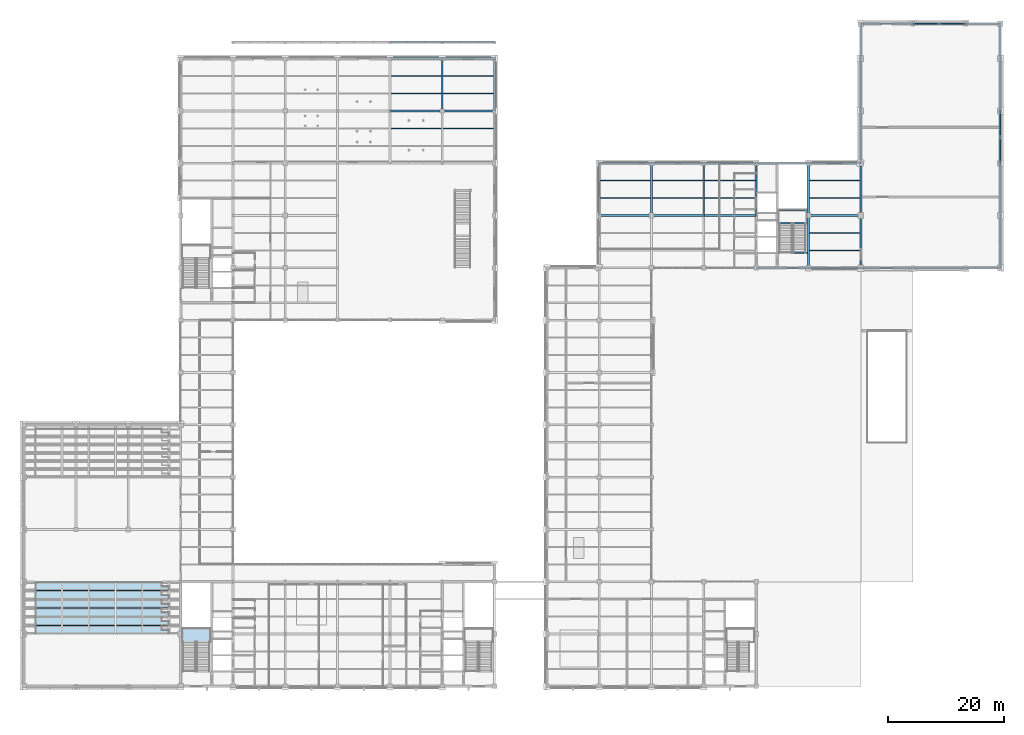
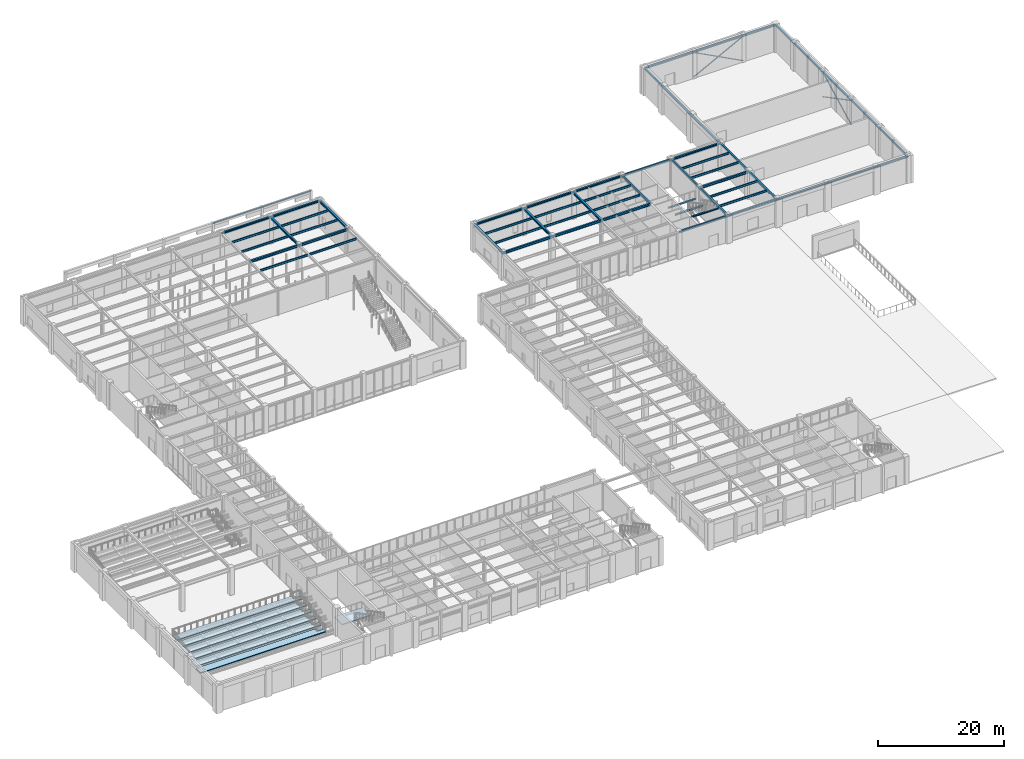
# One storey, part 51 of 77: 60 beams, 7 slabs, 6 members, 1 element without a shape of its own.
"""IFC4 building model written with IfcOpenShell, lengths in metres."""

from ifc_helpers import new_model, si_unit, direction, frame, origin, origin_2d, place, context, subcontext, project, spatial, polyline, hollow_circle, i_section, outline, extrude, material, layer, layer_set, material_profile, profile_set, type_object, element, aggregate, save


model = new_model("IFC4")

# Units and contexts
model_context = context("Model", 3, precision=1e-05, world=origin(), true_north=direction((0.0, 1.0)))
body_context = subcontext(model_context, "Body", "Model", "MODEL_VIEW")
ifc_project = project(units=[si_unit("LENGTHUNIT", "METRE"), si_unit("AREAUNIT", "SQUARE_METRE"), si_unit("VOLUMEUNIT", "CUBIC_METRE"), si_unit("PLANEANGLEUNIT", "RADIAN"), si_unit("MASSUNIT", "GRAM", prefix="KILO")], contexts=[model_context])

# Site, building, storey
site_placement = place(None, origin())
site = spatial("IfcSite", under=ifc_project, at=site_placement, CompositionType="ELEMENT")
building_placement = place(site_placement, origin())
building = spatial("IfcBuilding", under=site, at=building_placement, Name="Lykobir Media Centre", CompositionType="ELEMENT")
storey_placement = place(building_placement, origin())
storey = spatial("IfcBuildingStorey", under=building, at=storey_placement, Name="L00", CompositionType="ELEMENT", Elevation=0.0)

# Beams
ifc_material_1 = material(Name="Steel S355", Category="steel")
ifc_material_profile_1 = material_profile(ifc_material_1, i_section(OverallWidth=0.300048828125, OverallDepth=0.389892578125, WebThickness=0.010986328125, FlangeThickness=0.01904296875, at=origin_2d()), Name="HEA 400")
ifc_profile_set_1 = profile_set([ifc_material_profile_1], Name="Steel S355")
beam_type_1 = type_object("IfcBeamType", Name="BM-HEA400", PredefinedType="BEAM", material=ifc_profile_set_1)
for number, where, z_axis, x_axis, name in (
    (1, (72.0, 99.0, 4.965087890625), (0.0, 1.0, 0.0), (-1.0, 0.0, 0.0), "Beam BM-L00-0720-0990-0720-1080-496"),
    (2, (99.0, 81.0, 4.965087890625), (0.0, 1.0, 0.0), (-1.0, 0.0, 0.0), "Beam BM-L00-0990-0810-0990-0900-496"),
    (3, (108.0, 81.0, 4.965087890625), (0.0, 1.0, 0.0), (-1.0, 0.0, 0.0), "Beam BM-L00-1080-0810-1080-0900-496"),
    (4, (117.0, 81.0, 4.965087890625), (0.0, 1.0, 0.0), (-1.0, 0.0, 0.0), "Beam BM-L00-1170-0810-1170-0900-496"),
    (5, (126.0, 81.0, 4.965087890625), (0.0, 1.0, 0.0), (-1.0, 0.0, 0.0), "Beam BM-L00-1260-0810-1260-0900-496"),
    (6, (135.0, 72.0, 4.965087890625), (0.0, 1.0, 0.0), (-1.0, 0.0, 0.0), "Beam BM-L00-1350-0720-1350-0810-496"),
    (7, (135.0, 81.0, 4.965087890625), (0.0, 1.0, 0.0), (-1.0, 0.0, 0.0), "Beam BM-L00-1350-0810-1350-0900-496"),
):
    element("IfcBeam", number, at=place(storey_placement, frame(where, z_axis=z_axis, x_axis=x_axis)), inside=storey, type_object=beam_type_1, Name=name, PredefinedType="BEAM", context=body_context, shape_type="SweptSolid", body=[
        extrude(i_section(OverallWidth=0.300048828125, OverallDepth=0.389892578125, WebThickness=0.010986328125, FlangeThickness=0.01904296875, at=origin_2d()), origin(), (0.0, 0.0, 1.0), 9.0),
    ])
ifc_material_profile_2 = material_profile(ifc_material_1, i_section(OverallWidth=0.300048828125, OverallDepth=0.43994140625, WebThickness=0.011474609375, FlangeThickness=0.02099609375, at=origin_2d()), Name="HEA 450")
ifc_profile_set_2 = profile_set([ifc_material_profile_2], Name="Steel S355")
beam_type_2 = type_object("IfcBeamType", Name="BM-HEA450", PredefinedType="BEAM", material=ifc_profile_set_2)
for number, where, z_axis, x_axis, name in (
    (8, (99.0, 81.0, 4.93994140625), (1.0, 0.0, 0.0), (0.0, 1.0, 0.0), "Beam BM-L00-0990-0810-1080-0810-494"),
    (9, (108.0, 81.0, 4.93994140625), (1.0, 0.0, 0.0), (0.0, 1.0, 0.0), "Beam BM-L00-1080-0810-1170-0810-494"),
    (10, (117.0, 81.0, 4.93994140625), (1.0, 0.0, 0.0), (0.0, 1.0, 0.0), "Beam BM-L00-1170-0810-1260-0810-494"),
    (11, (135.0, 81.0, 4.93994140625), (1.0, 0.0, 0.0), (0.0, 1.0, 0.0), "Beam BM-L00-1350-0810-1440-0810-494"),
    (12, (63.0, 99.0, 4.93994140625), (1.0, 0.0, 0.0), (0.0, 1.0, 0.0), "Beam BM-L00-0630-0990-0720-0990-494"),
    (13, (72.0, 99.0, 4.93994140625), (1.0, 0.0, 0.0), (0.0, 1.0, 0.0), "Beam BM-L00-0720-0990-0810-0990-494"),
):
    element("IfcBeam", number, at=place(storey_placement, frame(where, z_axis=z_axis, x_axis=x_axis)), inside=storey, type_object=beam_type_2, Name=name, PredefinedType="BEAM", context=body_context, shape_type="SweptSolid", body=[
        extrude(i_section(OverallWidth=0.300048828125, OverallDepth=0.43994140625, WebThickness=0.011474609375, FlangeThickness=0.02099609375, at=origin_2d()), origin(), (0.0, 0.0, 1.0), 9.0),
    ])
ifc_material_profile_3 = material_profile(ifc_material_1, i_section(OverallWidth=0.260009765625, OverallDepth=0.25, WebThickness=0.007568359375, FlangeThickness=0.012451171875, at=origin_2d()), Name="HEA 260")
ifc_profile_set_3 = profile_set([ifc_material_profile_3], Name="Steel S355")
beam_type_3 = type_object("IfcBeamType", Name="BM-ST260", PredefinedType="BEAM", material=ifc_profile_set_3)
beam_1_placement = place(storey_placement, frame((129.72998046875, 81.8798828125, 2.3798828125), z_axis=(1.0, 0.0, 0.0), x_axis=(0.0, 1.0, 0.0)))
element("IfcBeam", 14, at=beam_1_placement, inside=storey, type_object=beam_type_3, Name="ST-4 L00 half-landing support beam", PredefinedType="BEAM", context=body_context, shape_type="SweptSolid", body=[
    extrude(i_section(OverallWidth=0.260009765625, OverallDepth=0.25, WebThickness=0.007568359375, FlangeThickness=0.012451171875, at=origin_2d()), origin(), (0.0, 0.0, 1.0), 5.14013671875),
])
ifc_material_profile_4 = material_profile(ifc_material_1, i_section(OverallWidth=0.280029296875, OverallDepth=0.27001953125, WebThickness=0.008056640625, FlangeThickness=0.012939453125, at=origin_2d()), Name="HEA 280")
ifc_profile_set_4 = profile_set([ifc_material_profile_4], Name="Steel S355")
beam_type_4 = type_object("IfcBeamType", Name="BM-ST280", PredefinedType="BEAM", material=ifc_profile_set_4)
for number, where, z_axis, x_axis, name in (
    (15, (129.72998046875, 74.580078125, 5.02490234375), (1.0, 0.0, 0.0), (0.0, 1.0, 0.0), "ST-4 L00 arrival trimmer beam"),
    (16, (129.72998046875, 79.679931640625, 2.3701171875), (1.0, 0.0, 0.0), (0.0, 1.0, 0.0), "ST-4 L00 mid-landing trimmer beam"),
):
    element("IfcBeam", number, at=place(storey_placement, frame(where, z_axis=z_axis, x_axis=x_axis)), inside=storey, type_object=beam_type_4, Name=name, PredefinedType="BEAM", context=body_context, shape_type="SweptSolid", body=[
        extrude(i_section(OverallWidth=0.280029296875, OverallDepth=0.27001953125, WebThickness=0.008056640625, FlangeThickness=0.012939453125, at=origin_2d()), origin(), (0.0, 0.0, 1.0), 5.14013671875),
    ])

# Members
ifc_material_profile_5 = material_profile(ifc_material_1, hollow_circle(Radius=0.096923828125, WallThickness=0.010009765625, at=origin_2d()), Name="CHS 193.7x10.0")
ifc_profile_set_5 = profile_set([ifc_material_profile_5], Name="Steel S355")
member_type_1 = type_object("IfcMemberType", Name="BR-CHS194-E", PredefinedType="BRACE", material=ifc_profile_set_5)
for number, where, z_axis, x_axis, name in (
    (17, (168.0, 99.0, 0.1201171875), (0.0, -0.885608106873, 0.464433290194), (1.0, 0.0, 0.0), "Diagonal brace MEM2-L00-1680-0990-0001-1680-0946-0543"),
    (18, (168.0, 94.3583984375, 2.55419921875), (0.0, -0.885587702286, 0.464472196757), (1.0, 0.0, 0.0), "Diagonal brace MEM2-L00-1680-0944-0026-1680-0900-0544"),
    (19, (162.0, 114.0, 0.1201171875), (-0.885608106873, 0.0, 0.464433290194), (0.0, -1.0, 0.0), "Diagonal brace MEM2-L00-1620-1140-0001-1576-1140-0564"),
    (20, (157.3583984375, 114.0, 2.55419921875), (-0.885587702286, 0.0, 0.464472196757), (0.0, -1.0, 0.0), "Diagonal brace MEM2-L00-1574-1140-0026-1530-1140-0565"),
):
    element("IfcMember", number, at=place(storey_placement, frame(where, z_axis=z_axis, x_axis=x_axis)), inside=storey, type_object=member_type_1, Name=name, PredefinedType="BRACE", context=body_context, shape_type="SweptSolid", body=[
        extrude(hollow_circle(Radius=0.096923828125, WallThickness=0.010009765625, at=origin_2d()), origin(), (0.0, 0.0, 1.0), 4.92138671875),
    ])
ifc_material_profile_6 = material_profile(ifc_material_1, hollow_circle(Radius=0.109619140625, WallThickness=0.012451171875, at=origin_2d()), Name="CHS 219.1x12.5")
ifc_profile_set_6 = profile_set([ifc_material_profile_6], Name="Steel S355")
member_type_2 = type_object("IfcMemberType", Name="BR-CHS219-E", PredefinedType="BRACE", material=ifc_profile_set_6)
for number, where, z_axis, x_axis, name in (
    (21, (168.0, 90.0, 0.1201171875), (0.0, 0.885601493622, 0.464445900504), (-1.0, 0.0, 0.0), "Diagonal brace MEM2-L00-1680-0900-0001-1680-0990-0542"),
    (22, (153.0, 114.0, 0.1201171875), (0.885601493622, 0.0, 0.464445900504), (0.0, 1.0, 0.0), "Diagonal brace MEM2-L00-1530-1140-0001-1620-1140-0563"),
):
    element("IfcMember", number, at=place(storey_placement, frame(where, z_axis=z_axis, x_axis=x_axis)), inside=storey, type_object=member_type_2, Name=name, PredefinedType="BRACE", context=body_context, shape_type="SweptSolid", body=[
        extrude(hollow_circle(Radius=0.109619140625, WallThickness=0.012451171875, at=origin_2d()), origin(), (0.0, 0.0, 1.0), 10.16259765625),
    ])

# Beams
ifc_material_profile_7 = material_profile(ifc_material_1, i_section(OverallWidth=0.179931640625, OverallDepth=0.39990234375, WebThickness=0.008544921875, FlangeThickness=0.013427734375, at=origin_2d()), Name="IPE 400")
ifc_profile_set_7 = profile_set([ifc_material_profile_7], Name="Steel S355")
beam_type_5 = type_object("IfcBeamType", Name="JS-IPE400", PredefinedType="JOIST", material=ifc_profile_set_7)
for number, where, z_axis, x_axis, name in (
    (23, (63.14990234375, 96.0, 4.9599609375), (1.0, 0.0, 0.0), (0.0, 1.0, 0.0), "Beam BM-L00-0632-0960-0718-0960-496"),
    (24, (63.14990234375, 102.0, 4.9599609375), (1.0, 0.0, 0.0), (0.0, 1.0, 0.0), "Beam BM-L00-0632-1020-0718-1020-496"),
    (25, (63.14990234375, 105.0, 4.9599609375), (1.0, 0.0, 0.0), (0.0, 1.0, 0.0), "Beam BM-L00-0632-1050-0718-1050-496"),
    (26, (72.14990234375, 96.0, 4.9599609375), (1.0, 0.0, 0.0), (0.0, 1.0, 0.0), "Beam BM-L00-0722-0960-0808-0960-496"),
    (27, (72.14990234375, 102.0, 4.9599609375), (1.0, 0.0, 0.0), (0.0, 1.0, 0.0), "Beam BM-L00-0722-1020-0808-1020-496"),
    (28, (72.14990234375, 105.0, 4.9599609375), (1.0, 0.0, 0.0), (0.0, 1.0, 0.0), "Beam BM-L00-0722-1050-0808-1050-496"),
    (29, (99.14990234375, 84.0, 4.9599609375), (1.0, 0.0, 0.0), (0.0, 1.0, 0.0), "Beam BM-L00-0992-0840-1078-0840-496"),
    (30, (99.14990234375, 87.0, 4.9599609375), (1.0, 0.0, 0.0), (0.0, 1.0, 0.0), "Beam BM-L00-0992-0870-1078-0870-496"),
    (31, (108.14990234375, 84.0, 4.9599609375), (1.0, 0.0, 0.0), (0.0, 1.0, 0.0), "Beam BM-L00-1082-0840-1168-0840-496"),
    (32, (108.14990234375, 87.0, 4.9599609375), (1.0, 0.0, 0.0), (0.0, 1.0, 0.0), "Beam BM-L00-1082-0870-1168-0870-496"),
    (33, (117.14990234375, 84.0, 4.9599609375), (1.0, 0.0, 0.0), (0.0, 1.0, 0.0), "Beam BM-L00-1172-0840-1258-0840-496"),
    (34, (117.14990234375, 87.0, 4.9599609375), (1.0, 0.0, 0.0), (0.0, 1.0, 0.0), "Beam BM-L00-1172-0870-1258-0870-496"),
    (35, (135.14990234375, 75.0, 4.9599609375), (1.0, 0.0, 0.0), (0.0, 1.0, 0.0), "Beam BM-L00-1352-0750-1438-0750-496"),
    (36, (135.14990234375, 78.0, 4.9599609375), (1.0, 0.0, 0.0), (0.0, 1.0, 0.0), "Beam BM-L00-1352-0780-1438-0780-496"),
    (37, (135.14990234375, 84.0, 4.9599609375), (1.0, 0.0, 0.0), (0.0, 1.0, 0.0), "Beam BM-L00-1352-0840-1438-0840-496"),
    (38, (135.14990234375, 87.0, 4.9599609375), (1.0, 0.0, 0.0), (0.0, 1.0, 0.0), "Beam BM-L00-1352-0870-1438-0870-496"),
):
    element("IfcBeam", number, at=place(storey_placement, frame(where, z_axis=z_axis, x_axis=x_axis)), inside=storey, type_object=beam_type_5, Name=name, PredefinedType="JOIST", context=body_context, shape_type="SweptSolid", body=[
        extrude(i_section(OverallWidth=0.179931640625, OverallDepth=0.39990234375, WebThickness=0.008544921875, FlangeThickness=0.013427734375, at=origin_2d()), origin(), (0.0, 0.0, 1.0), 8.7001953125),
    ])
ifc_material_profile_8 = material_profile(ifc_material_1, i_section(OverallWidth=0.239990234375, OverallDepth=0.22998046875, WebThickness=0.007568359375, FlangeThickness=0.011962890625, at=origin_2d()), Name="HEA 240")
ifc_profile_set_8 = profile_set([ifc_material_profile_8], Name="Steel S355")
beam_type_6 = type_object("IfcBeamType", Name="SP-HEA240-E", PredefinedType="SPANDREL", material=ifc_profile_set_8)
for number, where, z_axis, x_axis, name in (
    (39, (63.0, 110.800048828125, 5.195068359375), (1.0, 0.0, 0.0), (0.0, 1.0, 0.0), "Beam BM-L00-0630-1108-0720-1108-519"),
    (40, (72.0, 110.800048828125, 5.195068359375), (1.0, 0.0, 0.0), (0.0, 1.0, 0.0), "Beam BM-L00-0720-1108-0810-1108-519"),
):
    element("IfcBeam", number, at=place(storey_placement, frame(where, z_axis=z_axis, x_axis=x_axis)), inside=storey, type_object=beam_type_6, Name=name, PredefinedType="SPANDREL", context=body_context, shape_type="SweptSolid", body=[
        extrude(i_section(OverallWidth=0.239990234375, OverallDepth=0.22998046875, WebThickness=0.007568359375, FlangeThickness=0.011962890625, at=origin_2d()), origin(), (0.0, 0.0, 1.0), 9.0),
    ])
ifc_material_profile_9 = material_profile(ifc_material_1, i_section(OverallWidth=0.300048828125, OverallDepth=0.35009765625, WebThickness=0.010009765625, FlangeThickness=0.017578125, at=origin_2d()), Name="HEA 360")
ifc_profile_set_9 = profile_set([ifc_material_profile_9], Name="Steel S355")
beam_type_7 = type_object("IfcBeamType", Name="SP-HEA360", PredefinedType="SPANDREL", material=ifc_profile_set_9)
for number, where, z_axis, x_axis, name in (
    (41, (126.0, 72.0, 4.985107421875), (1.0, 0.0, 0.0), (0.0, 1.0, 0.0), "Beam BM-L00-1260-0720-1350-0720-499"),
    (42, (135.0, 72.0, 4.985107421875), (1.0, 0.0, 0.0), (0.0, 1.0, 0.0), "Beam BM-L00-1350-0720-1440-0720-499"),
    (43, (144.0, 72.0, 4.97509765625), (1.0, 0.0, 0.0), (0.0, 1.0, 0.0), "Beam BM-L00-1440-0720-1530-0720-497"),
    (44, (153.0, 72.0, 4.97509765625), (1.0, 0.0, 0.0), (0.0, 1.0, 0.0), "Beam BM-L00-1530-0720-1620-0720-497"),
):
    element("IfcBeam", number, at=place(storey_placement, frame(where, z_axis=z_axis, x_axis=x_axis)), inside=storey, type_object=beam_type_7, Name=name, PredefinedType="SPANDREL", context=body_context, shape_type="SweptSolid", body=[
        extrude(i_section(OverallWidth=0.300048828125, OverallDepth=0.35009765625, WebThickness=0.010009765625, FlangeThickness=0.017578125, at=origin_2d()), origin(), (0.0, 0.0, 1.0), 9.0),
    ])
beam_2_placement = place(storey_placement, frame((162.0, 72.0, 4.97509765625), z_axis=(1.0, 0.0, 0.0), x_axis=(0.0, 1.0, 0.0)))
element("IfcBeam", 45, at=beam_2_placement, inside=storey, type_object=beam_type_7, Name="Beam BM-L00-1620-0720-1680-0720-497", PredefinedType="SPANDREL", context=body_context, shape_type="SweptSolid", body=[
    extrude(i_section(OverallWidth=0.300048828125, OverallDepth=0.35009765625, WebThickness=0.010009765625, FlangeThickness=0.017578125, at=origin_2d()), origin(), (0.0, 0.0, 1.0), 6.0),
])
for number, where, z_axis, x_axis, name in (
    (46, (99.0, 90.0, 4.985107421875), (1.0, 0.0, 0.0), (0.0, 1.0, 0.0), "Beam BM-L00-0990-0900-1080-0900-499"),
    (47, (108.0, 90.0, 4.985107421875), (1.0, 0.0, 0.0), (0.0, 1.0, 0.0), "Beam BM-L00-1080-0900-1170-0900-499"),
    (48, (117.0, 90.0, 4.985107421875), (1.0, 0.0, 0.0), (0.0, 1.0, 0.0), "Beam BM-L00-1170-0900-1260-0900-499"),
    (49, (126.0, 90.0, 4.985107421875), (1.0, 0.0, 0.0), (0.0, 1.0, 0.0), "Beam BM-L00-1260-0900-1350-0900-499"),
    (50, (135.0, 90.0, 4.985107421875), (1.0, 0.0, 0.0), (0.0, 1.0, 0.0), "Beam BM-L00-1350-0900-1440-0900-499"),
    (51, (63.0, 108.0, 4.985107421875), (1.0, 0.0, 0.0), (0.0, 1.0, 0.0), "Beam BM-L00-0630-1080-0720-1080-499"),
    (52, (72.0, 108.0, 4.985107421875), (1.0, 0.0, 0.0), (0.0, 1.0, 0.0), "Beam BM-L00-0720-1080-0810-1080-499"),
    (53, (144.0, 72.0, 4.985107421875), (0.0, 1.0, 0.0), (-1.0, 0.0, 0.0), "Beam BM-L00-1440-0720-1440-0810-499"),
    (54, (144.0, 81.0, 4.985107421875), (0.0, 1.0, 0.0), (-1.0, 0.0, 0.0), "Beam BM-L00-1440-0810-1440-0900-499"),
    (55, (144.0, 90.0, 4.97509765625), (0.0, 1.0, 0.0), (-1.0, 0.0, 0.0), "Beam BM-L00-1440-0900-1440-0990-497"),
    (56, (144.0, 99.0, 4.97509765625), (0.0, 1.0, 0.0), (-1.0, 0.0, 0.0), "Beam BM-L00-1440-0990-1440-1080-497"),
):
    element("IfcBeam", number, at=place(storey_placement, frame(where, z_axis=z_axis, x_axis=x_axis)), inside=storey, type_object=beam_type_7, Name=name, PredefinedType="SPANDREL", context=body_context, shape_type="SweptSolid", body=[
        extrude(i_section(OverallWidth=0.300048828125, OverallDepth=0.35009765625, WebThickness=0.010009765625, FlangeThickness=0.017578125, at=origin_2d()), origin(), (0.0, 0.0, 1.0), 9.0),
    ])
beam_3_placement = place(storey_placement, frame((144.0, 108.0, 4.97509765625), z_axis=(0.0, 1.0, 0.0), x_axis=(-1.0, 0.0, 0.0)))
element("IfcBeam", 57, at=beam_3_placement, inside=storey, type_object=beam_type_7, Name="Beam BM-L00-1440-1080-1440-1140-497", PredefinedType="SPANDREL", context=body_context, shape_type="SweptSolid", body=[
    extrude(i_section(OverallWidth=0.300048828125, OverallDepth=0.35009765625, WebThickness=0.010009765625, FlangeThickness=0.017578125, at=origin_2d()), origin(), (0.0, 0.0, 1.0), 6.0),
])
ifc_material_profile_10 = material_profile(ifc_material_1, i_section(OverallWidth=0.300048828125, OverallDepth=0.35009765625, WebThickness=0.010009765625, FlangeThickness=0.017578125, at=origin_2d()), Name="HEA 360")
ifc_profile_set_10 = profile_set([ifc_material_profile_10], Name="Steel S355")
beam_type_8 = type_object("IfcBeamType", Name="SP-HEA360-E", PredefinedType="SPANDREL", material=ifc_profile_set_10)
for number, where, z_axis, x_axis, name in (
    (58, (144.0, 114.0, 4.97509765625), (1.0, 0.0, 0.0), (0.0, 1.0, 0.0), "Beam BM-L00-1440-1140-1530-1140-497"),
    (59, (153.0, 114.0, 4.97509765625), (1.0, 0.0, 0.0), (0.0, 1.0, 0.0), "Beam BM-L00-1530-1140-1620-1140-497"),
):
    element("IfcBeam", number, at=place(storey_placement, frame(where, z_axis=z_axis, x_axis=x_axis)), inside=storey, type_object=beam_type_8, Name=name, PredefinedType="SPANDREL", context=body_context, shape_type="SweptSolid", body=[
        extrude(i_section(OverallWidth=0.300048828125, OverallDepth=0.35009765625, WebThickness=0.010009765625, FlangeThickness=0.017578125, at=origin_2d()), origin(), (0.0, 0.0, 1.0), 9.0),
    ])
beam_4_placement = place(storey_placement, frame((162.0, 114.0, 4.97509765625), z_axis=(1.0, 0.0, 0.0), x_axis=(0.0, 1.0, 0.0)))
element("IfcBeam", 60, at=beam_4_placement, inside=storey, type_object=beam_type_8, Name="Beam BM-L00-1620-1140-1680-1140-497", PredefinedType="SPANDREL", context=body_context, shape_type="SweptSolid", body=[
    extrude(i_section(OverallWidth=0.300048828125, OverallDepth=0.35009765625, WebThickness=0.010009765625, FlangeThickness=0.017578125, at=origin_2d()), origin(), (0.0, 0.0, 1.0), 6.0),
])
for number, where, z_axis, x_axis, name in (
    (61, (81.0, 99.0, 4.985107421875), (0.0, 1.0, 0.0), (-1.0, 0.0, 0.0), "Beam BM-L00-0810-0990-0810-1080-499"),
    (62, (168.0, 72.0, 4.97509765625), (0.0, 1.0, 0.0), (-1.0, 0.0, 0.0), "Beam BM-L00-1680-0720-1680-0810-497"),
    (63, (168.0, 81.0, 4.97509765625), (0.0, 1.0, 0.0), (-1.0, 0.0, 0.0), "Beam BM-L00-1680-0810-1680-0900-497"),
    (64, (168.0, 90.0, 4.97509765625), (0.0, 1.0, 0.0), (-1.0, 0.0, 0.0), "Beam BM-L00-1680-0900-1680-0990-497"),
    (65, (168.0, 99.0, 4.97509765625), (0.0, 1.0, 0.0), (-1.0, 0.0, 0.0), "Beam BM-L00-1680-0990-1680-1080-497"),
):
    element("IfcBeam", number, at=place(storey_placement, frame(where, z_axis=z_axis, x_axis=x_axis)), inside=storey, type_object=beam_type_8, Name=name, PredefinedType="SPANDREL", context=body_context, shape_type="SweptSolid", body=[
        extrude(i_section(OverallWidth=0.300048828125, OverallDepth=0.35009765625, WebThickness=0.010009765625, FlangeThickness=0.017578125, at=origin_2d()), origin(), (0.0, 0.0, 1.0), 9.0),
    ])
beam_5_placement = place(storey_placement, frame((168.0, 108.0, 4.97509765625), z_axis=(0.0, 1.0, 0.0), x_axis=(-1.0, 0.0, 0.0)))
element("IfcBeam", 66, at=beam_5_placement, inside=storey, type_object=beam_type_8, Name="Beam BM-L00-1680-1080-1680-1140-497", PredefinedType="SPANDREL", context=body_context, shape_type="SweptSolid", body=[
    extrude(i_section(OverallWidth=0.300048828125, OverallDepth=0.35009765625, WebThickness=0.010009765625, FlangeThickness=0.017578125, at=origin_2d()), origin(), (0.0, 0.0, 1.0), 6.0),
])

# Stair, slab
ifc_material_2 = material(Name="Concrete C30/37", Category="concrete")
stair_type = type_object("IfcStairType", Name="ST-HT-540", PredefinedType="HALF_TURN_STAIR", material=ifc_material_2)
stair_placement = place(storey_placement, origin())
stair = element("IfcStair", 67, at=stair_placement, inside=storey, type_object=stair_type, Name="Escape stair ST-1 L00", PredefinedType="HALF_TURN_STAIR")
ifc_layer_1 = layer(ifc_material_2, 0.195068359375, Name="Concrete C30/37")
ifc_layer_set_1 = layer_set([ifc_layer_1], Name="Concrete C30/37")
slab_type_1 = type_object("IfcSlabType", Name="SL-195", PredefinedType="LANDING", material=ifc_layer_set_1)
slab_1_placement = place(storey_placement, frame((0.0, 0.0, 2.5048828125)))
slab_1 = element("IfcSlab", 68, at=slab_1_placement, type_object=slab_type_1, Name="ST-1-L00 landing 1", PredefinedType="LANDING", context=body_context, shape_type="SweptSolid", body=[
    extrude(outline(polyline([(27.1298828125, 7.550048828125), (32.27001953125, 7.550048828125), (32.27001953125, 10.030029296875), (27.1298828125, 10.030029296875), (27.1298828125, 7.550048828125)])), origin(), (0.0, 0.0, 1.0), 0.195068359375),
])
aggregate(stair, [slab_1])

# Slabs
ifc_layer_2 = layer(ifc_material_2, 0.179931640625, Name="Concrete C30/37")
ifc_layer_set_2 = layer_set([ifc_layer_2], Name="Concrete C30/37")
slab_type_2 = type_object("IfcSlabType", Name="ST-TIER-180", PredefinedType="USERDEFINED", material=ifc_layer_set_2)
slab_2_placement = place(storey_placement, frame((0.0, 0.0, 1.06005859375)))
element("IfcSlab", 69, at=slab_2_placement, inside=storey, type_object=slab_type_2, Name="SCR1 raked seating tier 1", ObjectType="SEATING TIER", PredefinedType="USERDEFINED", context=body_context, shape_type="SweptSolid", body=[
    extrude(outline(polyline([(2.0, 9.0), (25.0, 9.0), (25.0, 9.72998046875), (23.800048828125, 9.72998046875), (23.800048828125, 10.4599609375), (2.0, 10.4599609375), (2.0, 9.0)])), origin(), (0.0, 0.0, 1.0), 0.179931640625),
])
slab_3_placement = place(storey_placement, frame((0.0, 0.0, 1.419921875)))
element("IfcSlab", 70, at=slab_3_placement, inside=storey, type_object=slab_type_2, Name="SCR1 raked seating tier 2", ObjectType="SEATING TIER", PredefinedType="USERDEFINED", context=body_context, shape_type="SweptSolid", body=[
    extrude(outline(polyline([(2.0, 10.5), (25.0, 10.5), (25.0, 11.22998046875), (23.800048828125, 11.22998046875), (23.800048828125, 11.9599609375), (2.0, 11.9599609375), (2.0, 10.5)])), origin(), (0.0, 0.0, 1.0), 0.18017578125),
])
slab_4_placement = place(storey_placement, frame((0.0, 0.0, 1.780029296875)))
element("IfcSlab", 71, at=slab_4_placement, inside=storey, type_object=slab_type_2, Name="SCR1 raked seating tier 3", ObjectType="SEATING TIER", PredefinedType="USERDEFINED", context=body_context, shape_type="SweptSolid", body=[
    extrude(outline(polyline([(2.0, 12.0), (25.0, 12.0), (25.0, 12.72998046875), (23.800048828125, 12.72998046875), (23.800048828125, 13.4599609375), (2.0, 13.4599609375), (2.0, 12.0)])), origin(), (0.0, 0.0, 1.0), 0.179931640625),
])
slab_5_placement = place(storey_placement, frame((0.0, 0.0, 2.139892578125)))
element("IfcSlab", 72, at=slab_5_placement, inside=storey, type_object=slab_type_2, Name="SCR1 raked seating tier 4", ObjectType="SEATING TIER", PredefinedType="USERDEFINED", context=body_context, shape_type="SweptSolid", body=[
    extrude(outline(polyline([(2.0, 13.5), (25.0, 13.5), (25.0, 14.22998046875), (23.800048828125, 14.22998046875), (23.800048828125, 14.9599609375), (2.0, 14.9599609375), (2.0, 13.5)])), origin(), (0.0, 0.0, 1.0), 0.18017578125),
])
slab_6_placement = place(storey_placement, frame((0.0, 0.0, 2.5)))
element("IfcSlab", 73, at=slab_6_placement, inside=storey, type_object=slab_type_2, Name="SCR1 raked seating tier 5", ObjectType="SEATING TIER", PredefinedType="USERDEFINED", context=body_context, shape_type="SweptSolid", body=[
    extrude(outline(polyline([(2.0, 15.0), (25.0, 15.0), (25.0, 15.72998046875), (23.800048828125, 15.72998046875), (23.800048828125, 16.4599609375), (2.0, 16.4599609375), (2.0, 15.0)])), origin(), (0.0, 0.0, 1.0), 0.179931640625),
])
slab_7_placement = place(storey_placement, frame((0.0, 0.0, 2.860107421875)))
element("IfcSlab", 74, at=slab_7_placement, inside=storey, type_object=slab_type_2, Name="SCR1 raked seating tier 6", ObjectType="SEATING TIER", PredefinedType="USERDEFINED", context=body_context, shape_type="SweptSolid", body=[
    extrude(outline(polyline([(2.0, 16.5), (25.0, 16.5), (25.0, 17.22998046875), (23.800048828125, 17.22998046875), (23.800048828125, 17.9599609375), (2.0, 17.9599609375), (2.0, 16.5)])), origin(), (0.0, 0.0, 1.0), 0.179931640625),
])

save(model, "model.ifc")
